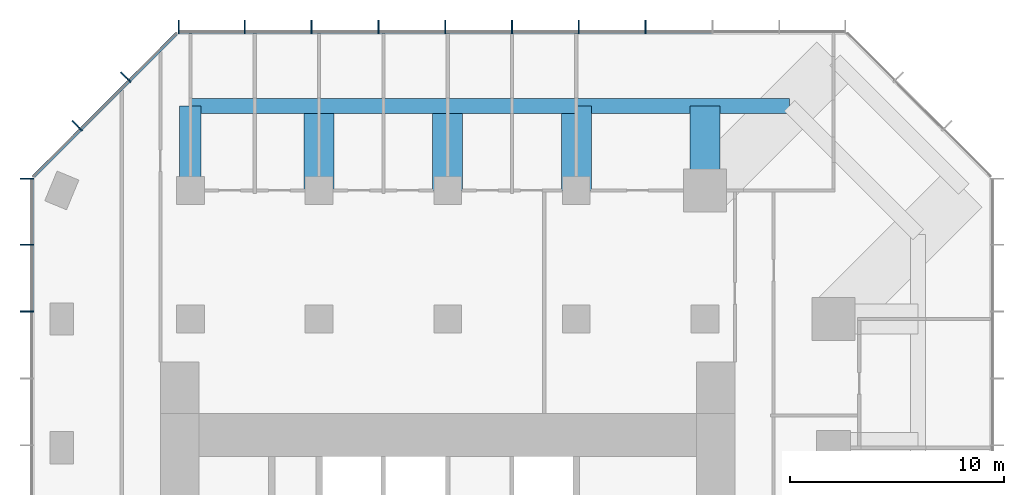
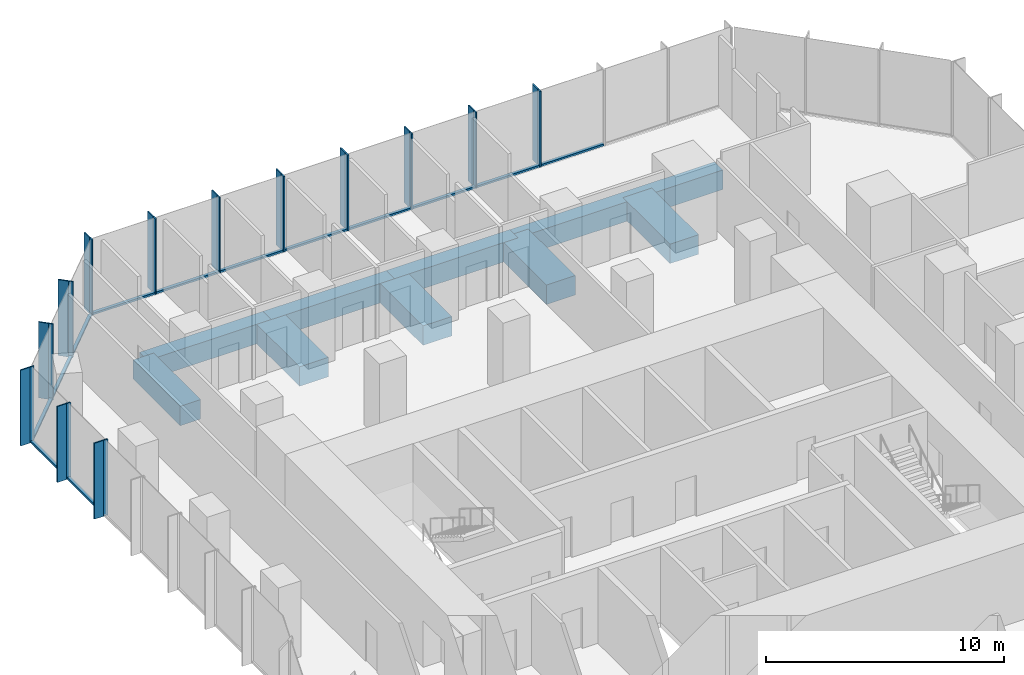
# One storey, part 5 of 11: 39 members, 9 beams, 3 elements without a shape of their own.
"""IFC4 building model written with IfcOpenShell, lengths in metres."""

from ifc_helpers import new_model, si_unit, direction, frame, origin, origin_2d, place, context, subcontext, project, spatial, rectangle, extrude, material, layer, layer_set, material_profile, profile_set, type_object, element, aggregate, save


model = new_model("IFC4")

# Units and contexts
model_context = context("Model", 3, precision=1e-05, world=origin(), true_north=direction((0.0, 1.0)))
body_context = subcontext(model_context, "Body", "Model", "MODEL_VIEW")
ifc_project = project(units=[si_unit("LENGTHUNIT", "METRE"), si_unit("AREAUNIT", "SQUARE_METRE"), si_unit("VOLUMEUNIT", "CUBIC_METRE"), si_unit("PLANEANGLEUNIT", "RADIAN"), si_unit("MASSUNIT", "GRAM", prefix="KILO")], contexts=[model_context])

# Site, building, storey
site_placement = place(None, origin())
site = spatial("IfcSite", under=ifc_project, at=site_placement, CompositionType="ELEMENT")
building_placement = place(site_placement, origin())
building = spatial("IfcBuilding", under=site, at=building_placement, Name="Highveld Stack Headquarters", CompositionType="ELEMENT")
storey_placement = place(building_placement, frame((0.0, 0.0, 173.300048828125)))
storey = spatial("IfcBuildingStorey", under=building, at=storey_placement, Name="L42", CompositionType="ELEMENT", Elevation=173.300048828125)

# Beams
ifc_material_1 = material(Name="Concrete C60/75", Category="concrete")
ifc_material_profile_1 = material_profile(ifc_material_1, rectangle(XDim=1.0, YDim=1.0, at=origin_2d()), Name="RC 1000x1000")
ifc_profile_set_1 = profile_set([ifc_material_profile_1], Name="Concrete C60/75")
beam_type_1 = type_object("IfcBeamType", Name="CANTILEVER RIB RC 1000x1000", PredefinedType="USERDEFINED", material=ifc_profile_set_1)
beam_1_placement = place(storey_placement, frame((-6.0, 24.0, -0.75), z_axis=(0.0, 1.0, 0.0), x_axis=(-1.0, 0.0, 0.0)))
element("IfcBeam", 1, at=beam_1_placement, inside=storey, type_object=beam_type_1, Name="Cantilever rib 5/J L42", ObjectType="CANTILEVER RIB", PredefinedType="USERDEFINED", context=body_context, shape_type="SweptSolid", body=[
    extrude(rectangle(XDim=1.0, YDim=1.0, at=origin_2d()), origin(), (0.0, 0.0, 1.0), 3.949951171875),
])
ifc_material_2 = material(Name="Concrete C60/75", Category="concrete")
ifc_material_profile_2 = material_profile(ifc_material_2, rectangle(XDim=1.39990234375, YDim=1.0, at=origin_2d()), Name="RC 1400x1000")
ifc_profile_set_2 = profile_set([ifc_material_profile_2], Name="Concrete C60/75")
beam_type_2 = type_object("IfcBeamType", Name="CANTILEVER RIB RC 1400x1000", PredefinedType="USERDEFINED", material=ifc_profile_set_2)
for number, where, z_axis, x_axis, name in (
    (2, (0.0, 24.0, -0.75), (0.0, 1.0, 0.0), (-1.0, 0.0, 0.0), "Cantilever rib 6/J L42"),
    (3, (6.0, 24.0, -0.75), (0.0, 1.0, 0.0), (-1.0, 0.0, 0.0), "Cantilever rib 7/J L42"),
    (4, (12.0, 24.0, -0.75), (0.0, 1.0, 0.0), (-1.0, 0.0, 0.0), "Cantilever rib 8/J L42"),
    (5, (18.0, 24.0, -0.75), (0.0, 1.0, 0.0), (-1.0, 0.0, 0.0), "Cantilever rib 9/J L42"),
):
    element("IfcBeam", number, at=place(storey_placement, frame(where, z_axis=z_axis, x_axis=x_axis)), inside=storey, type_object=beam_type_2, Name=name, ObjectType="CANTILEVER RIB", PredefinedType="USERDEFINED", context=body_context, shape_type="SweptSolid", body=[
        extrude(rectangle(XDim=1.39990234375, YDim=1.0, at=origin_2d()), origin(), (0.0, 0.0, 1.0), 3.949951171875),
    ])

# Curtain wall, members
ifc_material_3 = material(Name="Aluminium bronze anodised", Category="aluminium")
ifc_layer_1 = layer(ifc_material_3, 0.199951171875)
ifc_layer_set_1 = layer_set([ifc_layer_1], Name="Aluminium bronze anodised")
curtain_wall_type_1 = type_object("IfcCurtainWallType", Name="CW1 TOWER UNITISED CURTAIN WALL", PredefinedType="NOTDEFINED", material=ifc_layer_set_1)
curtain_wall_1_placement = place(storey_placement, origin())
curtain_wall_1 = element("IfcCurtainWall", 6, at=curtain_wall_1_placement, inside=storey, type_object=curtain_wall_type_1, Name="Curtain wall CW1 L42 N", PredefinedType="NOTDEFINED")
ifc_material_4 = material(Name="Aluminium bronze anodised", Category="aluminium")
ifc_material_profile_3 = material_profile(ifc_material_4, rectangle(XDim=0.449951171875, YDim=0.06005859375, at=origin_2d()), Name="FIN 450x60")
ifc_profile_set_3 = profile_set([ifc_material_profile_3], Name="Aluminium bronze anodised")
member_type_1 = type_object("IfcMemberType", Name="CW1 BRONZE FIN 450x60", PredefinedType="USERDEFINED", material=ifc_profile_set_3)
member_1_placement = place(storey_placement, frame((15.23193359375, 31.72509765625, 0.0), z_axis=(0.0, 0.0, 1.0), x_axis=(0.0, -1.0, 0.0)))
member_1 = element("IfcMember", 7, at=member_1_placement, type_object=member_type_1, Name="CW1 fin L42 4", ObjectType="FIN", PredefinedType="USERDEFINED", context=body_context, shape_type="SweptSolid", body=[
    extrude(rectangle(XDim=0.449951171875, YDim=0.06005859375, at=origin_2d()), origin(), (0.0, 0.0, 1.0), 3.89990234375),
])
member_2_placement = place(storey_placement, frame((12.115966796875, 31.72509765625, 0.0), z_axis=(0.0, 0.0, 1.0), x_axis=(0.0, -1.0, 0.0)))
member_2 = element("IfcMember", 8, at=member_2_placement, type_object=member_type_1, Name="CW1 fin L42 5", ObjectType="FIN", PredefinedType="USERDEFINED", context=body_context, shape_type="SweptSolid", body=[
    extrude(rectangle(XDim=0.449951171875, YDim=0.06005859375, at=origin_2d()), origin(), (0.0, 0.0, 1.0), 3.89990234375),
])
member_3_placement = place(storey_placement, frame((9.0, 31.72509765625, 0.0), z_axis=(0.0, 0.0, 1.0), x_axis=(0.0, -1.0, 0.0)))
member_3 = element("IfcMember", 9, at=member_3_placement, type_object=member_type_1, Name="CW1 fin L42 6", ObjectType="FIN", PredefinedType="USERDEFINED", context=body_context, shape_type="SweptSolid", body=[
    extrude(rectangle(XDim=0.449951171875, YDim=0.06005859375, at=origin_2d()), origin(), (0.0, 0.0, 1.0), 3.89990234375),
])
member_4_placement = place(storey_placement, frame((5.884033203125, 31.72509765625, 0.0), z_axis=(0.0, 0.0, 1.0), x_axis=(0.0, -1.0, 0.0)))
member_4 = element("IfcMember", 10, at=member_4_placement, type_object=member_type_1, Name="CW1 fin L42 7", ObjectType="FIN", PredefinedType="USERDEFINED", context=body_context, shape_type="SweptSolid", body=[
    extrude(rectangle(XDim=0.449951171875, YDim=0.06005859375, at=origin_2d()), origin(), (0.0, 0.0, 1.0), 3.89990234375),
])
member_5_placement = place(storey_placement, frame((2.76806640625, 31.72509765625, 0.0), z_axis=(0.0, 0.0, 1.0), x_axis=(0.0, -1.0, 0.0)))
member_5 = element("IfcMember", 11, at=member_5_placement, type_object=member_type_1, Name="CW1 fin L42 8", ObjectType="FIN", PredefinedType="USERDEFINED", context=body_context, shape_type="SweptSolid", body=[
    extrude(rectangle(XDim=0.449951171875, YDim=0.06005859375, at=origin_2d()), origin(), (0.0, 0.0, 1.0), 3.89990234375),
])
member_6_placement = place(storey_placement, frame((-0.347900390625, 31.72509765625, 0.0), z_axis=(0.0, 0.0, 1.0), x_axis=(0.0, -1.0, 0.0)))
member_6 = element("IfcMember", 12, at=member_6_placement, type_object=member_type_1, Name="CW1 fin L42 9", ObjectType="FIN", PredefinedType="USERDEFINED", context=body_context, shape_type="SweptSolid", body=[
    extrude(rectangle(XDim=0.449951171875, YDim=0.06005859375, at=origin_2d()), origin(), (0.0, 0.0, 1.0), 3.89990234375),
])
member_7_placement = place(storey_placement, frame((-3.4638671875, 31.72509765625, 0.0), z_axis=(0.0, 0.0, 1.0), x_axis=(0.0, -1.0, 0.0)))
member_7 = element("IfcMember", 13, at=member_7_placement, type_object=member_type_1, Name="CW1 fin L42 10", ObjectType="FIN", PredefinedType="USERDEFINED", context=body_context, shape_type="SweptSolid", body=[
    extrude(rectangle(XDim=0.449951171875, YDim=0.06005859375, at=origin_2d()), origin(), (0.0, 0.0, 1.0), 3.89990234375),
])
member_8_placement = place(storey_placement, frame((-6.54736328125, 31.72509765625, 0.0), z_axis=(0.0, 0.0, 1.0), x_axis=(0.0, -1.0, 0.0)))
member_8 = element("IfcMember", 14, at=member_8_placement, type_object=member_type_1, Name="CW1 fin L42 11", ObjectType="FIN", PredefinedType="USERDEFINED", context=body_context, shape_type="SweptSolid", body=[
    extrude(rectangle(XDim=0.449951171875, YDim=0.06005859375, at=origin_2d()), origin(), (0.0, 0.0, 1.0), 3.89990234375),
])

curtain_wall_2_placement = place(storey_placement, origin())
curtain_wall_2 = element("IfcCurtainWall", 15, at=curtain_wall_2_placement, inside=storey, type_object=curtain_wall_type_1, Name="Curtain wall CW1 L42 W", PredefinedType="NOTDEFINED")
member_9_placement = place(storey_placement, frame((-13.72509765625, 24.54736328125, 0.0), z_axis=(0.0, 0.0, 1.0), x_axis=(1.0, 0.0, 0.0)))
member_9 = element("IfcMember", 16, at=member_9_placement, type_object=member_type_1, Name="CW1 fin L42 1", ObjectType="FIN", PredefinedType="USERDEFINED", context=body_context, shape_type="SweptSolid", body=[
    extrude(rectangle(XDim=0.449951171875, YDim=0.06005859375, at=origin_2d()), origin(), (0.0, 0.0, 1.0), 3.89990234375),
])
member_10_placement = place(storey_placement, frame((-13.72509765625, 21.4638671875, 0.0), z_axis=(0.0, 0.0, 1.0), x_axis=(1.0, 0.0, 0.0)))
member_10 = element("IfcMember", 17, at=member_10_placement, type_object=member_type_1, Name="CW1 fin L42 2", ObjectType="FIN", PredefinedType="USERDEFINED", context=body_context, shape_type="SweptSolid", body=[
    extrude(rectangle(XDim=0.449951171875, YDim=0.06005859375, at=origin_2d()), origin(), (0.0, 0.0, 1.0), 3.89990234375),
])
member_11_placement = place(storey_placement, frame((-13.72509765625, 18.347900390625, 0.0), z_axis=(0.0, 0.0, 1.0), x_axis=(1.0, 0.0, 0.0)))
member_11 = element("IfcMember", 18, at=member_11_placement, type_object=member_type_1, Name="CW1 fin L42 3", ObjectType="FIN", PredefinedType="USERDEFINED", context=body_context, shape_type="SweptSolid", body=[
    extrude(rectangle(XDim=0.449951171875, YDim=0.06005859375, at=origin_2d()), origin(), (0.0, 0.0, 1.0), 3.89990234375),
])

# Member
ifc_material_5 = material(Name="Aluminium bronze anodised", Category="aluminium")
ifc_material_profile_4 = material_profile(ifc_material_5, rectangle(XDim=0.199951171875, YDim=0.06494140625, at=origin_2d()), Name="CW1 MULLION 65x200")
ifc_profile_set_4 = profile_set([ifc_material_profile_4], Name="Aluminium bronze anodised")
member_type_2 = type_object("IfcMemberType", Name="CW1 MULLION 65x200", PredefinedType="MULLION", material=ifc_profile_set_4)
member_12_placement = place(storey_placement, frame((15.23193359375, 31.39990234375, 0.0), z_axis=(0.0, 0.0, 1.0), x_axis=(0.0, -1.0, 0.0)))
member_12 = element("IfcMember", 19, at=member_12_placement, type_object=member_type_2, Name="CW1 mullion L42 4", PredefinedType="MULLION", context=body_context, shape_type="SweptSolid", body=[
    extrude(rectangle(XDim=0.199951171875, YDim=0.06494140625, at=origin_2d()), origin(), (0.0, 0.0, 1.0), 3.89990234375),
])

member_13_placement = place(storey_placement, frame((12.115966796875, 31.39990234375, 0.0), z_axis=(0.0, 0.0, 1.0), x_axis=(0.0, -1.0, 0.0)))
member_13 = element("IfcMember", 20, at=member_13_placement, type_object=member_type_2, Name="CW1 mullion L42 5", PredefinedType="MULLION", context=body_context, shape_type="SweptSolid", body=[
    extrude(rectangle(XDim=0.199951171875, YDim=0.06494140625, at=origin_2d()), origin(), (0.0, 0.0, 1.0), 3.89990234375),
])

member_14_placement = place(storey_placement, frame((9.0, 31.39990234375, 0.0), z_axis=(0.0, 0.0, 1.0), x_axis=(0.0, -1.0, 0.0)))
member_14 = element("IfcMember", 21, at=member_14_placement, type_object=member_type_2, Name="CW1 mullion L42 6", PredefinedType="MULLION", context=body_context, shape_type="SweptSolid", body=[
    extrude(rectangle(XDim=0.199951171875, YDim=0.06494140625, at=origin_2d()), origin(), (0.0, 0.0, 1.0), 3.89990234375),
])

member_15_placement = place(storey_placement, frame((5.884033203125, 31.39990234375, 0.0), z_axis=(0.0, 0.0, 1.0), x_axis=(0.0, -1.0, 0.0)))
member_15 = element("IfcMember", 22, at=member_15_placement, type_object=member_type_2, Name="CW1 mullion L42 7", PredefinedType="MULLION", context=body_context, shape_type="SweptSolid", body=[
    extrude(rectangle(XDim=0.199951171875, YDim=0.06494140625, at=origin_2d()), origin(), (0.0, 0.0, 1.0), 3.89990234375),
])

member_16_placement = place(storey_placement, frame((2.76806640625, 31.39990234375, 0.0), z_axis=(0.0, 0.0, 1.0), x_axis=(0.0, -1.0, 0.0)))
member_16 = element("IfcMember", 23, at=member_16_placement, type_object=member_type_2, Name="CW1 mullion L42 8", PredefinedType="MULLION", context=body_context, shape_type="SweptSolid", body=[
    extrude(rectangle(XDim=0.199951171875, YDim=0.06494140625, at=origin_2d()), origin(), (0.0, 0.0, 1.0), 3.89990234375),
])

member_17_placement = place(storey_placement, frame((-0.347900390625, 31.39990234375, 0.0), z_axis=(0.0, 0.0, 1.0), x_axis=(0.0, -1.0, 0.0)))
member_17 = element("IfcMember", 24, at=member_17_placement, type_object=member_type_2, Name="CW1 mullion L42 9", PredefinedType="MULLION", context=body_context, shape_type="SweptSolid", body=[
    extrude(rectangle(XDim=0.199951171875, YDim=0.06494140625, at=origin_2d()), origin(), (0.0, 0.0, 1.0), 3.89990234375),
])

member_18_placement = place(storey_placement, frame((-3.4638671875, 31.39990234375, 0.0), z_axis=(0.0, 0.0, 1.0), x_axis=(0.0, -1.0, 0.0)))
member_18 = element("IfcMember", 25, at=member_18_placement, type_object=member_type_2, Name="CW1 mullion L42 10", PredefinedType="MULLION", context=body_context, shape_type="SweptSolid", body=[
    extrude(rectangle(XDim=0.199951171875, YDim=0.06494140625, at=origin_2d()), origin(), (0.0, 0.0, 1.0), 3.89990234375),
])

member_19_placement = place(storey_placement, frame((-6.54736328125, 31.39990234375, 0.0), z_axis=(0.0, 0.0, 1.0), x_axis=(0.0, -1.0, 0.0)))
member_19 = element("IfcMember", 26, at=member_19_placement, type_object=member_type_2, Name="CW1 mullion L42 11", PredefinedType="MULLION", context=body_context, shape_type="SweptSolid", body=[
    extrude(rectangle(XDim=0.199951171875, YDim=0.06494140625, at=origin_2d()), origin(), (0.0, 0.0, 1.0), 3.89990234375),
])

member_20_placement = place(storey_placement, frame((-13.39990234375, 24.54736328125, 0.0), z_axis=(0.0, 0.0, 1.0), x_axis=(1.0, 0.0, 0.0)))
member_20 = element("IfcMember", 27, at=member_20_placement, type_object=member_type_2, Name="CW1 mullion L42 1", PredefinedType="MULLION", context=body_context, shape_type="SweptSolid", body=[
    extrude(rectangle(XDim=0.199951171875, YDim=0.06494140625, at=origin_2d()), origin(), (0.0, 0.0, 1.0), 3.89990234375),
])

member_21_placement = place(storey_placement, frame((-13.39990234375, 21.4638671875, 0.0), z_axis=(0.0, 0.0, 1.0), x_axis=(1.0, 0.0, 0.0)))
member_21 = element("IfcMember", 28, at=member_21_placement, type_object=member_type_2, Name="CW1 mullion L42 2", PredefinedType="MULLION", context=body_context, shape_type="SweptSolid", body=[
    extrude(rectangle(XDim=0.199951171875, YDim=0.06494140625, at=origin_2d()), origin(), (0.0, 0.0, 1.0), 3.89990234375),
])

member_22_placement = place(storey_placement, frame((-13.39990234375, 18.347900390625, 0.0), z_axis=(0.0, 0.0, 1.0), x_axis=(1.0, 0.0, 0.0)))
member_22 = element("IfcMember", 29, at=member_22_placement, type_object=member_type_2, Name="CW1 mullion L42 3", PredefinedType="MULLION", context=body_context, shape_type="SweptSolid", body=[
    extrude(rectangle(XDim=0.199951171875, YDim=0.06494140625, at=origin_2d()), origin(), (0.0, 0.0, 1.0), 3.89990234375),
])

ifc_material_6 = material(Name="Aluminium bronze anodised", Category="aluminium")
ifc_material_profile_5 = material_profile(ifc_material_6, rectangle(XDim=0.14990234375, YDim=0.10009765625, at=origin_2d()), Name="CW1 TRANSOM 150x100")
ifc_profile_set_5 = profile_set([ifc_material_profile_5], Name="Aluminium bronze anodised")
member_type_3 = type_object("IfcMemberType", Name="CW1 STACK TRANSOM 150x100", PredefinedType="USERDEFINED", material=ifc_profile_set_5)
member_23_placement = place(storey_placement, frame((18.3154296875, 31.39990234375, 0.050048828125), z_axis=(-1.0, 0.0, 0.0), x_axis=(0.0, -1.0, 0.0)))
member_23 = element("IfcMember", 30, at=member_23_placement, type_object=member_type_3, Name="CW1 transom L42 3.1", ObjectType="TRANSOM", PredefinedType="USERDEFINED", context=body_context, shape_type="SweptSolid", body=[
    extrude(rectangle(XDim=0.14990234375, YDim=0.10009765625, at=origin_2d()), origin(), (0.0, 0.0, 1.0), 3.051025390625),
])

member_24_placement = place(storey_placement, frame((15.199462890625, 31.39990234375, 0.050048828125), z_axis=(-1.0, 0.0, 0.0), x_axis=(0.0, -1.0, 0.0)))
member_24 = element("IfcMember", 31, at=member_24_placement, type_object=member_type_3, Name="CW1 transom L42 4.1", ObjectType="TRANSOM", PredefinedType="USERDEFINED", context=body_context, shape_type="SweptSolid", body=[
    extrude(rectangle(XDim=0.14990234375, YDim=0.10009765625, at=origin_2d()), origin(), (0.0, 0.0, 1.0), 3.051025390625),
])

member_25_placement = place(storey_placement, frame((12.08349609375, 31.39990234375, 0.050048828125), z_axis=(-1.0, 0.0, 0.0), x_axis=(0.0, -1.0, 0.0)))
member_25 = element("IfcMember", 32, at=member_25_placement, type_object=member_type_3, Name="CW1 transom L42 5.1", ObjectType="TRANSOM", PredefinedType="USERDEFINED", context=body_context, shape_type="SweptSolid", body=[
    extrude(rectangle(XDim=0.14990234375, YDim=0.10009765625, at=origin_2d()), origin(), (0.0, 0.0, 1.0), 3.051025390625),
])

member_26_placement = place(storey_placement, frame((8.967529296875, 31.39990234375, 0.050048828125), z_axis=(-1.0, 0.0, 0.0), x_axis=(0.0, -1.0, 0.0)))
member_26 = element("IfcMember", 33, at=member_26_placement, type_object=member_type_3, Name="CW1 transom L42 6.1", ObjectType="TRANSOM", PredefinedType="USERDEFINED", context=body_context, shape_type="SweptSolid", body=[
    extrude(rectangle(XDim=0.14990234375, YDim=0.10009765625, at=origin_2d()), origin(), (0.0, 0.0, 1.0), 3.051025390625),
])

member_27_placement = place(storey_placement, frame((5.8515625, 31.39990234375, 0.050048828125), z_axis=(-1.0, 0.0, 0.0), x_axis=(0.0, -1.0, 0.0)))
member_27 = element("IfcMember", 34, at=member_27_placement, type_object=member_type_3, Name="CW1 transom L42 7.1", ObjectType="TRANSOM", PredefinedType="USERDEFINED", context=body_context, shape_type="SweptSolid", body=[
    extrude(rectangle(XDim=0.14990234375, YDim=0.10009765625, at=origin_2d()), origin(), (0.0, 0.0, 1.0), 3.051025390625),
])

member_28_placement = place(storey_placement, frame((2.735595703125, 31.39990234375, 0.050048828125), z_axis=(-1.0, 0.0, 0.0), x_axis=(0.0, -1.0, 0.0)))
member_28 = element("IfcMember", 35, at=member_28_placement, type_object=member_type_3, Name="CW1 transom L42 8.1", ObjectType="TRANSOM", PredefinedType="USERDEFINED", context=body_context, shape_type="SweptSolid", body=[
    extrude(rectangle(XDim=0.14990234375, YDim=0.10009765625, at=origin_2d()), origin(), (0.0, 0.0, 1.0), 3.051025390625),
])

member_29_placement = place(storey_placement, frame((-0.38037109375, 31.39990234375, 0.050048828125), z_axis=(-1.0, 0.0, 0.0), x_axis=(0.0, -1.0, 0.0)))
member_29 = element("IfcMember", 36, at=member_29_placement, type_object=member_type_3, Name="CW1 transom L42 9.1", ObjectType="TRANSOM", PredefinedType="USERDEFINED", context=body_context, shape_type="SweptSolid", body=[
    extrude(rectangle(XDim=0.14990234375, YDim=0.10009765625, at=origin_2d()), origin(), (0.0, 0.0, 1.0), 3.051025390625),
])

member_30_placement = place(storey_placement, frame((-3.496337890625, 31.39990234375, 0.050048828125), z_axis=(-1.0, 0.0, 0.0), x_axis=(0.0, -1.0, 0.0)))
member_30 = element("IfcMember", 37, at=member_30_placement, type_object=member_type_3, Name="CW1 transom L42 10.1", ObjectType="TRANSOM", PredefinedType="USERDEFINED", context=body_context, shape_type="SweptSolid", body=[
    extrude(rectangle(XDim=0.14990234375, YDim=0.10009765625, at=origin_2d()), origin(), (0.0, 0.0, 1.0), 3.0185546875),
])

aggregate(curtain_wall_1, [member_12, member_1, member_13, member_2, member_14, member_3, member_15, member_4, member_16, member_5, member_17, member_6, member_18, member_7, member_19, member_8, member_23, member_24, member_25, member_26, member_27, member_28, member_29, member_30])

member_31_placement = place(storey_placement, frame((-13.39990234375, 24.514892578125, 0.050048828125), z_axis=(0.0, -1.0, 0.0), x_axis=(1.0, 0.0, 0.0)))
member_31 = element("IfcMember", 38, at=member_31_placement, type_object=member_type_3, Name="CW1 transom L42 1.1", ObjectType="TRANSOM", PredefinedType="USERDEFINED", context=body_context, shape_type="SweptSolid", body=[
    extrude(rectangle(XDim=0.14990234375, YDim=0.10009765625, at=origin_2d()), origin(), (0.0, 0.0, 1.0), 3.0185546875),
])

member_32_placement = place(storey_placement, frame((-13.39990234375, 21.431396484375, 0.050048828125), z_axis=(0.0, -1.0, 0.0), x_axis=(1.0, 0.0, 0.0)))
member_32 = element("IfcMember", 39, at=member_32_placement, type_object=member_type_3, Name="CW1 transom L42 2.1", ObjectType="TRANSOM", PredefinedType="USERDEFINED", context=body_context, shape_type="SweptSolid", body=[
    extrude(rectangle(XDim=0.14990234375, YDim=0.10009765625, at=origin_2d()), origin(), (0.0, 0.0, 1.0), 3.051025390625),
])

aggregate(curtain_wall_2, [member_20, member_9, member_21, member_10, member_22, member_11, member_31, member_32])

# Curtain wall, members
ifc_material_7 = material(Name="Aluminium bronze anodised", Category="aluminium")
ifc_layer_2 = layer(ifc_material_7, 0.199951171875)
ifc_layer_set_2 = layer_set([ifc_layer_2], Name="Aluminium bronze anodised")
curtain_wall_type_2 = type_object("IfcCurtainWallType", Name="CW2 TOWER CHAMFER UNITISED CURTAIN WALL", PredefinedType="NOTDEFINED", material=ifc_layer_set_2)
curtain_wall_3_placement = place(storey_placement, origin())
curtain_wall_3 = element("IfcCurtainWall", 40, at=curtain_wall_3_placement, inside=storey, type_object=curtain_wall_type_2, Name="Curtain wall CW2 L42 NW", PredefinedType="NOTDEFINED")
ifc_material_8 = material(Name="Aluminium bronze anodised", Category="aluminium")
ifc_material_profile_6 = material_profile(ifc_material_8, rectangle(XDim=0.449951171875, YDim=0.06005859375, at=origin_2d()), Name="FIN 450x60")
ifc_profile_set_6 = profile_set([ifc_material_profile_6], Name="Aluminium bronze anodised")
member_type_4 = type_object("IfcMemberType", Name="CW2 BRONZE FIN 450x60", PredefinedType="USERDEFINED", material=ifc_profile_set_6)
member_33_placement = place(storey_placement, frame((-9.0830078125, 29.3564453125, 0.0), z_axis=(0.0, 0.0, 1.0), x_axis=(0.707106781187, -0.707106781187, 0.0)))
member_33 = element("IfcMember", 41, at=member_33_placement, type_object=member_type_4, Name="CW2 fin L42 1", ObjectType="FIN", PredefinedType="USERDEFINED", context=body_context, shape_type="SweptSolid", body=[
    extrude(rectangle(XDim=0.449951171875, YDim=0.06005859375, at=origin_2d()), origin(), (0.0, 0.0, 1.0), 3.89990234375),
])
member_34_placement = place(storey_placement, frame((-11.3564453125, 27.0830078125, 0.0), z_axis=(0.0, 0.0, 1.0), x_axis=(0.707106781187, -0.707106781187, 0.0)))
member_34 = element("IfcMember", 42, at=member_34_placement, type_object=member_type_4, Name="CW2 fin L42 2", ObjectType="FIN", PredefinedType="USERDEFINED", context=body_context, shape_type="SweptSolid", body=[
    extrude(rectangle(XDim=0.449951171875, YDim=0.06005859375, at=origin_2d()), origin(), (0.0, 0.0, 1.0), 3.89990234375),
])
ifc_material_9 = material(Name="Aluminium bronze anodised", Category="aluminium")
ifc_material_profile_7 = material_profile(ifc_material_9, rectangle(XDim=0.199951171875, YDim=0.06494140625, at=origin_2d()), Name="CW2 MULLION 65x200")
ifc_profile_set_7 = profile_set([ifc_material_profile_7], Name="Aluminium bronze anodised")
member_type_5 = type_object("IfcMemberType", Name="CW2 MULLION 65x200", PredefinedType="MULLION", material=ifc_profile_set_7)
member_35_placement = place(storey_placement, frame((-8.853271484375, 29.126708984375, 0.0), z_axis=(0.0, 0.0, 1.0), x_axis=(0.707106781187, -0.707106781187, 0.0)))
member_35 = element("IfcMember", 43, at=member_35_placement, type_object=member_type_5, Name="CW2 mullion L42 1", PredefinedType="MULLION", context=body_context, shape_type="SweptSolid", body=[
    extrude(rectangle(XDim=0.199951171875, YDim=0.06494140625, at=origin_2d()), origin(), (0.0, 0.0, 1.0), 3.89990234375),
])
member_36_placement = place(storey_placement, frame((-11.126708984375, 26.853271484375, 0.0), z_axis=(0.0, 0.0, 1.0), x_axis=(0.707106781187, -0.707106781187, 0.0)))
member_36 = element("IfcMember", 44, at=member_36_placement, type_object=member_type_5, Name="CW2 mullion L42 2", PredefinedType="MULLION", context=body_context, shape_type="SweptSolid", body=[
    extrude(rectangle(XDim=0.199951171875, YDim=0.06494140625, at=origin_2d()), origin(), (0.0, 0.0, 1.0), 3.89990234375),
])
ifc_material_10 = material(Name="Aluminium bronze anodised", Category="aluminium")
ifc_material_profile_8 = material_profile(ifc_material_10, rectangle(XDim=0.14990234375, YDim=0.10009765625, at=origin_2d()), Name="CW2 TRANSOM 150x100")
ifc_profile_set_8 = profile_set([ifc_material_profile_8], Name="Aluminium bronze anodised")
member_type_6 = type_object("IfcMemberType", Name="CW2 STACK TRANSOM 150x100", PredefinedType="USERDEFINED", material=ifc_profile_set_8)
member_37_placement = place(storey_placement, frame((-6.650634765625, 31.329345703125, 0.050048828125), z_axis=(-0.707106781187, -0.707106781187, 0.0), x_axis=(0.707106781187, -0.707106781187, 0.0)))
member_37 = element("IfcMember", 45, at=member_37_placement, type_object=member_type_6, Name="CW2 transom L42 1.1", ObjectType="TRANSOM", PredefinedType="USERDEFINED", context=body_context, shape_type="SweptSolid", body=[
    extrude(rectangle(XDim=0.14990234375, YDim=0.10009765625, at=origin_2d()), origin(), (0.0, 0.0, 1.0), 3.08251953125),
])
member_38_placement = place(storey_placement, frame((-8.876220703125, 29.103759765625, 0.050048828125), z_axis=(-0.707106781187, -0.707106781187, 0.0), x_axis=(0.707106781187, -0.707106781187, 0.0)))
member_38 = element("IfcMember", 46, at=member_38_placement, type_object=member_type_6, Name="CW2 transom L42 2.1", ObjectType="TRANSOM", PredefinedType="USERDEFINED", context=body_context, shape_type="SweptSolid", body=[
    extrude(rectangle(XDim=0.14990234375, YDim=0.10009765625, at=origin_2d()), origin(), (0.0, 0.0, 1.0), 3.150146484375),
])
member_39_placement = place(storey_placement, frame((-11.149658203125, 26.830322265625, 0.050048828125), z_axis=(-0.707106781187, -0.707106781187, 0.0), x_axis=(0.707106781187, -0.707106781187, 0.0)))
member_39 = element("IfcMember", 47, at=member_39_placement, type_object=member_type_6, Name="CW2 transom L42 3.1", ObjectType="TRANSOM", PredefinedType="USERDEFINED", context=body_context, shape_type="SweptSolid", body=[
    extrude(rectangle(XDim=0.14990234375, YDim=0.10009765625, at=origin_2d()), origin(), (0.0, 0.0, 1.0), 3.08251953125),
])
aggregate(curtain_wall_3, [member_35, member_33, member_36, member_34, member_37, member_38, member_39])

# Beams
ifc_material_11 = material(Name="Concrete C60/75", Category="concrete")
ifc_material_profile_9 = material_profile(ifc_material_11, rectangle(XDim=0.699951171875, YDim=1.0, at=origin_2d()), Name="RC 700x1000")
ifc_profile_set_9 = profile_set([ifc_material_profile_9], Name="Concrete C60/75")
beam_type_3 = type_object("IfcBeamType", Name="RIB TIP BEAM RC 700x1000", PredefinedType="SPANDREL", material=ifc_profile_set_9)
for number, where, z_axis, x_axis, name in (
    (48, (-6.0, 27.949951171875, -0.75), (1.0, 0.0, 0.0), (0.0, 1.0, 0.0), "Rib tip beam 5/J to 6/J L42"),
    (49, (0.0, 27.949951171875, -0.75), (1.0, 0.0, 0.0), (0.0, 1.0, 0.0), "Rib tip beam 6/J to 7/J L42"),
    (50, (6.0, 27.949951171875, -0.75), (1.0, 0.0, 0.0), (0.0, 1.0, 0.0), "Rib tip beam 7/J to 8/J L42"),
):
    element("IfcBeam", number, at=place(storey_placement, frame(where, z_axis=z_axis, x_axis=x_axis)), inside=storey, type_object=beam_type_3, Name=name, PredefinedType="SPANDREL", context=body_context, shape_type="SweptSolid", body=[
        extrude(rectangle(XDim=0.699951171875, YDim=1.0, at=origin_2d()), origin(), (0.0, 0.0, 1.0), 6.0),
    ])
beam_2_placement = place(storey_placement, frame((12.0, 27.949951171875, -0.75), z_axis=(1.0, 0.0, 0.0), x_axis=(0.0, 1.0, 0.0)))
element("IfcBeam", 51, at=beam_2_placement, inside=storey, type_object=beam_type_3, Name="Rib tip beam 8/J to 9/J L42", PredefinedType="SPANDREL", context=body_context, shape_type="SweptSolid", body=[
    extrude(rectangle(XDim=0.699951171875, YDim=1.0, at=origin_2d()), origin(), (0.0, 0.0, 1.0), 9.949951171875),
])

save(model, "model.ifc")
